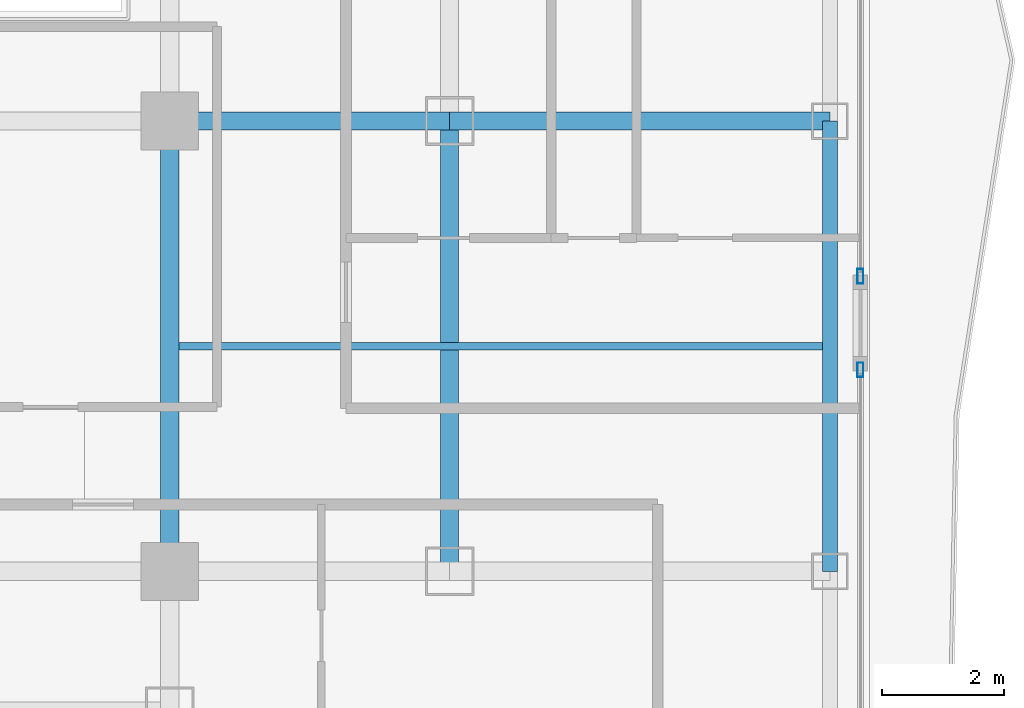
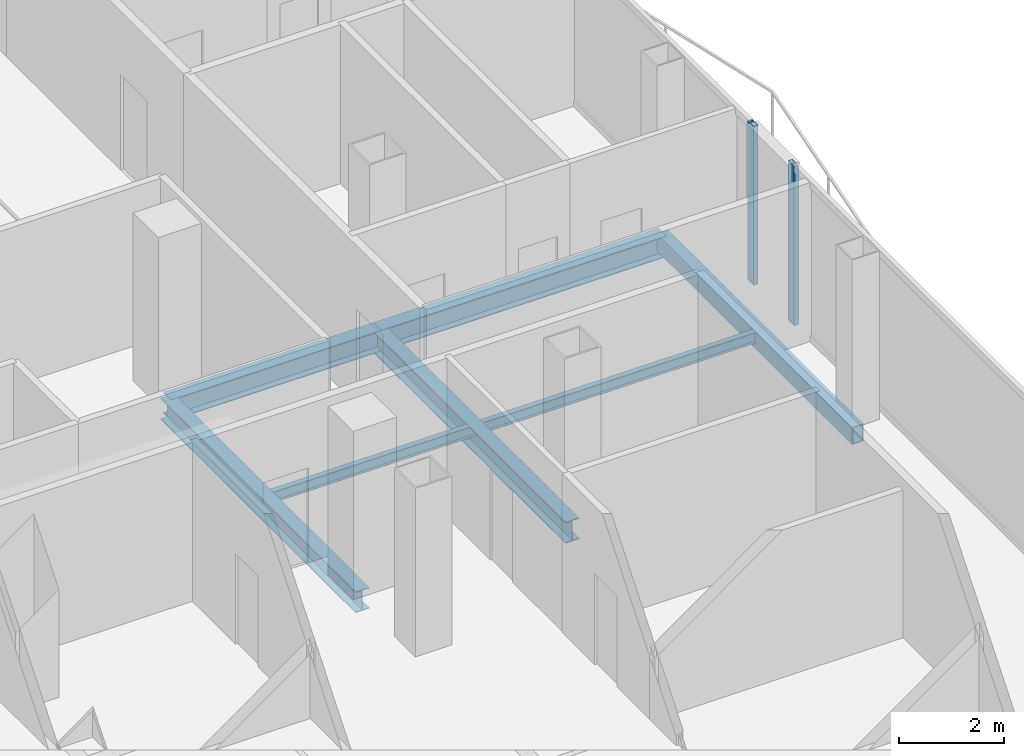
# One storey, part 11 of 27: 6 beams, 2 members, 2 elements without a shape of their own.
"""IFC4 building model written with IfcOpenShell, lengths in metres."""

import ifcopenshell
import ifcopenshell.guid

model = None  # the IFC model being written
_history = None  # IfcOwnerHistory: only IFC2X3 demands one
_inside = {}  # id of a spatial element -> (the spatial element, [elements in it])
_under = {}  # id of a project, library or spatial element -> (it, [spatial elements below it])
_declared = {}  # id of a project -> (the project, [libraries it declares])
_typed = {}  # id of a type object -> (the type object, [elements of that type])
_made_of = {}  # id of a material, layer set ... -> (it, [elements and type objects made of it])


def new_model(schema):
    """Start an empty IFC model of exactly this schema.

    Asked for "IFC4X3", IfcOpenShell would pick the latest addendum, in which some entities
    have other attributes; the version numbers below select the first issue.
    IFC2X3 requires an IfcOwnerHistory on every rooted entity: one is made here for all.
    """
    global model, _history
    if schema == "IFC4X3":
        model = ifcopenshell.file(schema_version=(4, 3, 0, 0))
    else:
        model = ifcopenshell.file(schema=schema)
    _inside.clear()
    _under.clear()
    _declared.clear()
    _typed.clear()
    _made_of.clear()
    _history = None
    if model.schema == "IFC2X3":
        org = make("IfcOrganization", Name="unknown")
        user = make(
            "IfcPersonAndOrganization",
            ThePerson=make("IfcPerson", FamilyName="unknown"),
            TheOrganization=org,
        )
        app = make(
            "IfcApplication",
            ApplicationDeveloper=org,
            Version="unknown",
            ApplicationFullName="unknown",
            ApplicationIdentifier="unknown",
        )
        _history = make(
            "IfcOwnerHistory",
            OwningUser=user,
            OwningApplication=app,
            ChangeAction="ADDED",
            CreationDate=0,
        )
    return model


def make(cls, **values):
    """One entity of the class cls with the attributes given. An attribute that is None is left unset."""
    return model.create_entity(
        cls, **{name: value for name, value in values.items() if value is not None}
    )


def rooted(cls, **values):
    """An entity with a GlobalId (a new one), such as an element, a storey or a relation."""
    return make(cls, GlobalId=ifcopenshell.guid.new(), OwnerHistory=_history, **values)


def si_unit(unit_type, name, prefix=None):
    """IfcSIUnit, for example si_unit("LENGTHUNIT", "METRE", prefix="MILLI")."""
    return make("IfcSIUnit", UnitType=unit_type, Prefix=prefix, Name=name)


def assignment(units):
    """IfcUnitAssignment: the units of a project."""
    return None if units is None else make("IfcUnitAssignment", Units=units)


def point(xyz):
    """IfcCartesianPoint."""
    return None if xyz is None else make("IfcCartesianPoint", Coordinates=xyz)


def direction(xyz):
    """IfcDirection."""
    return None if xyz is None else make("IfcDirection", DirectionRatios=xyz)


def frame(location, z_axis=None, x_axis=None):
    """IfcAxis2Placement3D, a coordinate frame: its origin and axes. An axis left out is left unset."""
    return make(
        "IfcAxis2Placement3D",
        Location=point(location),
        Axis=direction(z_axis),
        RefDirection=direction(x_axis),
    )


def frame_2d(location, x_axis=None):
    """IfcAxis2Placement2D, a coordinate frame in the plane: its origin and x axis."""
    return make(
        "IfcAxis2Placement2D", Location=point(location), RefDirection=direction(x_axis)
    )


def origin():
    """The frame at (0, 0, 0) with its axes left unset."""
    return frame((0.0, 0.0, 0.0))


def origin_2d():
    """The frame at (0, 0) in the plane with its x axis left unset."""
    return frame_2d((0.0, 0.0))


def place(relative_to, where):
    """IfcLocalPlacement: puts the frame where relative to a parent placement (None: the world)."""
    return make(
        "IfcLocalPlacement", PlacementRelTo=relative_to, RelativePlacement=where
    )


def context(
    kind, dimensions, precision=None, world=None, true_north=None, identifier=None
):
    """IfcGeometricRepresentationContext, for example the 3D "Model" context."""
    return make(
        "IfcGeometricRepresentationContext",
        ContextIdentifier=identifier,
        ContextType=kind,
        CoordinateSpaceDimension=dimensions,
        Precision=precision,
        WorldCoordinateSystem=world,
        TrueNorth=true_north,
    )


def subcontext(parent, identifier, kind, view, scale=None):
    """IfcGeometricRepresentationSubContext, for example "Body" below "Model"."""
    return make(
        "IfcGeometricRepresentationSubContext",
        ContextIdentifier=identifier,
        ContextType=kind,
        ParentContext=parent,
        TargetScale=scale,
        TargetView=view,
    )


def project(units=None, contexts=None):
    """IfcProject with its units and contexts."""
    return rooted(
        "IfcProject",
        Name="project",
        RepresentationContexts=contexts,
        UnitsInContext=assignment(units),
    )


def spatial(cls, under=None, at=None, **own):
    """A site, building, storey or space (cls), placed at a placement, below another one or the project."""
    s = rooted(cls, ObjectPlacement=at, **own)
    if under is not None:
        _under.setdefault(under.id(), (under, []))[1].append(s)
    return s


def profile(cls, at=None, kind="AREA", **sizes):
    """A parametric profile (cls). Its sizes go by their IFC names, for example OverallWidth=200.0."""
    return make(cls, ProfileType=kind, Position=at, **sizes)


def hollow_rectangle(**sizes):
    """IfcRectangleHollowProfileDef."""
    return profile("IfcRectangleHollowProfileDef", **sizes)


def i_section(**sizes):
    """IfcIShapeProfileDef."""
    return profile("IfcIShapeProfileDef", **sizes)


def extrude(swept, where, along, depth):
    """IfcExtrudedAreaSolid: the profile swept, set in the frame where, extruded along a direction by depth."""
    return make(
        "IfcExtrudedAreaSolid",
        SweptArea=swept,
        Position=where,
        ExtrudedDirection=direction(along),
        Depth=depth,
    )


def shape(context_of_items, identifier, shape_type, items):
    """IfcShapeRepresentation: the items that make up one representation, for example the "Body"."""
    return make(
        "IfcShapeRepresentation",
        ContextOfItems=context_of_items,
        RepresentationIdentifier=identifier,
        RepresentationType=shape_type,
        Items=items,
    )


def material(Name=None, Category=None):
    """IfcMaterial."""
    return make("IfcMaterial", Name=Name, Category=Category)


def layer(
    of_material, thickness, ventilated=None, Name=None, Category=None, Priority=None
):
    """IfcMaterialLayer: one layer of a wall or slab, of a material (None: an air gap)."""
    return make(
        "IfcMaterialLayer",
        Material=of_material,
        LayerThickness=thickness,
        IsVentilated=ventilated,
        Name=Name,
        Category=Category,
        Priority=Priority,
    )


def layer_set(layers, Name=None):
    """IfcMaterialLayerSet."""
    return make("IfcMaterialLayerSet", MaterialLayers=layers, LayerSetName=Name)


def material_profile(
    of_material, cross_section, Name=None, Category=None, Priority=None
):
    """IfcMaterialProfile: a cross section and its material."""
    return make(
        "IfcMaterialProfile",
        Name=Name,
        Material=of_material,
        Profile=cross_section,
        Priority=Priority,
        Category=Category,
    )


def profile_set(profiles, Name=None, composite=None):
    """IfcMaterialProfileSet."""
    return make(
        "IfcMaterialProfileSet",
        Name=Name,
        MaterialProfiles=profiles,
        CompositeProfile=composite,
    )


def made_of(thing, what):
    """Note that an element or type object is made of a material, layer set ...; save() writes the relation."""
    if what is not None:
        _made_of.setdefault(what.id(), (what, []))[1].append(thing)
    return thing


def type_object(cls, material=None, **own):
    """A type object (cls), such as IfcWallType, which elements share."""
    return made_of(rooted(cls, **own), material)


def element(
    cls,
    number,
    at=None,
    inside=None,
    cuts=None,
    type_object=None,
    material=None,
    context=None,
    identifier="Body",
    shape_type=None,
    held_by="IfcProductDefinitionShape",
    body=None,
    shapes=None,
    **own,
):
    """One element of the class cls, such as IfcWall. Its Tag is "e" and its number.

    at: its placement. inside: the storey or other place that contains it. cuts: it is an
    opening in that element (IfcRelVoidsElement). A single representation is given by context,
    identifier, shape_type and body (its items); several are given by shapes. held_by: the class
    of the entity that holds the representations. save() writes the other relations.
    """
    e = rooted(cls, Tag="e%d" % number, ObjectPlacement=at, **own)
    if body is not None:
        shapes = [shape(context, identifier, shape_type, body)]
    if shapes is not None:
        e.Representation = make(held_by, Representations=shapes)
    if inside is not None:
        _inside.setdefault(inside.id(), (inside, []))[1].append(e)
    if cuts is not None:
        rooted(
            "IfcRelVoidsElement", RelatingBuildingElement=cuts, RelatedOpeningElement=e
        )
    if type_object is not None:
        _typed.setdefault(type_object.id(), (type_object, []))[1].append(e)
    return made_of(e, material)


def aggregate(whole, parts):
    """IfcRelAggregates: a whole, such as a stair, and the parts it consists of."""
    return rooted("IfcRelAggregates", RelatingObject=whole, RelatedObjects=parts)


def save(model, path):
    """Write the relations noted so far, then the file.

    IfcRelAggregates (storeys below a building ...), IfcRelContainedInSpatialStructure (elements
    in a storey), IfcRelDefinesByType, IfcRelAssociatesMaterial and IfcRelDeclares: one each for
    every whole, place, type object, material and project.
    """
    for whole, parts in _under.values():
        aggregate(whole, parts)
    for where, things in _inside.values():
        rooted(
            "IfcRelContainedInSpatialStructure",
            RelatedElements=things,
            RelatingStructure=where,
        )
    for kind, things in _typed.values():
        rooted("IfcRelDefinesByType", RelatedObjects=things, RelatingType=kind)
    for what, things in _made_of.values():
        rooted("IfcRelAssociatesMaterial", RelatedObjects=things, RelatingMaterial=what)
    for by, libraries in _declared.values():
        rooted("IfcRelDeclares", RelatingContext=by, RelatedDefinitions=libraries)
    model.write(path)


model = new_model("IFC4")

# Units and contexts
model_context = context("Model", 3, precision=1e-05, world=origin(), true_north=direction((0.0, 1.0)))
body_context = subcontext(model_context, "Body", "Model", "MODEL_VIEW")
ifc_project = project(units=[si_unit("LENGTHUNIT", "METRE"), si_unit("AREAUNIT", "SQUARE_METRE"), si_unit("VOLUMEUNIT", "CUBIC_METRE"), si_unit("PLANEANGLEUNIT", "RADIAN"), si_unit("MASSUNIT", "GRAM", prefix="KILO")], contexts=[model_context])

# Site, building, storey
site_placement = place(None, origin())
site = spatial("IfcSite", under=ifc_project, at=site_placement, CompositionType="ELEMENT")
building_placement = place(site_placement, origin())
building = spatial("IfcBuilding", under=site, at=building_placement, Name="Khorvyn Point Tower", CompositionType="ELEMENT")
storey_placement = place(building_placement, frame((0.0, 0.0, 246.89990234375)))
storey = spatial("IfcBuildingStorey", under=building, at=storey_placement, Name="L60", CompositionType="ELEMENT", Elevation=246.89990234375)

# Curtain wall, member
ifc_material_1 = material(Name="Anodised aluminium 6063-T6 and laminated Low-E glass", Category="aluminium")
ifc_layer = layer(ifc_material_1, 0.18994140625)
ifc_layer_set = layer_set([ifc_layer], Name="Stick-Built Acoustic Curtain Wall CW-SYS-03")
curtain_wall_type = type_object("IfcCurtainWallType", Name="Stick-Built Acoustic Curtain Wall CW-SYS-03", PredefinedType="NOTDEFINED", material=ifc_layer_set)
curtain_wall_1_placement = place(storey_placement, origin())
curtain_wall_1 = element("IfcCurtainWall", 1, at=curtain_wall_1_placement, inside=storey, type_object=curtain_wall_type, Name="Curtain Wall", PredefinedType="NOTDEFINED")
ifc_material_2 = material(Name="Anodised aluminium 6063-T6", Category="aluminium")
ifc_material_profile_1 = material_profile(ifc_material_2, hollow_rectangle(XDim=0.10009765625, YDim=0.239990234375, WallThickness=0.0048828125, at=origin_2d()))
ifc_profile_set_1 = profile_set([ifc_material_profile_1], Name="Anodised aluminium 6063-T6 ALU-MUL-100x240")
member_type = type_object("IfcMemberType", Name="Anodised Aluminium 6063-T6 Mullion ALU-MUL-100x240", PredefinedType="MULLION", material=ifc_profile_set_1)
member_1_placement = place(storey_placement, frame((26.14990234375, -9.949951171875, 0.0), z_axis=(0.0, 0.0, 1.0), x_axis=(1.0, 0.0, 0.0)))
member_1 = element("IfcMember", 2, at=member_1_placement, type_object=member_type, Name="Transom", PredefinedType="MULLION", context=body_context, shape_type="SweptSolid", body=[
    extrude(hollow_rectangle(XDim=0.10009765625, YDim=0.239990234375, WallThickness=0.0048828125, at=origin_2d()), origin(), (0.0, 0.0, 1.0), 3.68017578125),
])
aggregate(curtain_wall_1, [member_1])

curtain_wall_2_placement = place(storey_placement, origin())
curtain_wall_2 = element("IfcCurtainWall", 3, at=curtain_wall_2_placement, inside=storey, type_object=curtain_wall_type, Name="Curtain Wall", PredefinedType="NOTDEFINED")
member_2_placement = place(storey_placement, frame((26.14990234375, -11.489990234375, 0.0), z_axis=(0.0, 0.0, 1.0), x_axis=(1.0, 0.0, 0.0)))
member_2 = element("IfcMember", 4, at=member_2_placement, type_object=member_type, Name="Transom", PredefinedType="MULLION", context=body_context, shape_type="SweptSolid", body=[
    extrude(hollow_rectangle(XDim=0.10009765625, YDim=0.239990234375, WallThickness=0.0048828125, at=origin_2d()), origin(), (0.0, 0.0, 1.0), 3.68017578125),
])
aggregate(curtain_wall_2, [member_2])

# Beams
ifc_material_3 = material(Name="Steel S355", Category="steel")
ifc_material_profile_2 = material_profile(ifc_material_3, i_section(OverallWidth=0.125, OverallDepth=0.25, WebThickness=0.006103515625, FlangeThickness=0.009033203125, at=origin_2d()))
ifc_profile_set_2 = profile_set([ifc_material_profile_2], Name="Steel S355 H250x125x6x9")
beam_type_1 = type_object("IfcBeamType", Name="Steel S355 Joist H250x125x6x9", PredefinedType="JOIST", material=ifc_profile_set_2)
beam_1_placement = place(storey_placement, frame((14.949951171875, -11.10009765625, -0.344970703125), z_axis=(1.0, 0.0, 0.0), x_axis=(0.0, 1.0, 0.0)))
element("IfcBeam", 5, at=beam_1_placement, inside=storey, type_object=beam_type_1, Name="Beam", PredefinedType="JOIST", context=body_context, shape_type="SweptSolid", body=[
    extrude(i_section(OverallWidth=0.125, OverallDepth=0.25, WebThickness=0.006103515625, FlangeThickness=0.009033203125, at=origin_2d()), origin(), (0.0, 0.0, 1.0), 10.574951171875),
])
ifc_material_profile_3 = material_profile(ifc_material_3, i_section(OverallWidth=0.300048828125, OverallDepth=0.488037109375, WebThickness=0.010986328125, FlangeThickness=0.01806640625, at=origin_2d()))
ifc_profile_set_3 = profile_set([ifc_material_profile_3], Name="Steel S355 H488x300x11x18")
beam_type_2 = type_object("IfcBeamType", Name="Steel S355 Spandrel H488x300x11x18", PredefinedType="SPANDREL", material=ifc_profile_set_3)
beam_2_placement = place(storey_placement, frame((14.800048828125, -7.39990234375, -0.4638671875), z_axis=(1.0, 0.0, 0.0), x_axis=(0.0, 1.0, 0.0)))
element("IfcBeam", 6, at=beam_2_placement, inside=storey, type_object=beam_type_2, Name="Beam", PredefinedType="SPANDREL", context=body_context, shape_type="SweptSolid", body=[
    extrude(i_section(OverallWidth=0.300048828125, OverallDepth=0.488037109375, WebThickness=0.010986328125, FlangeThickness=0.01806640625, at=origin_2d()), origin(), (0.0, 0.0, 1.0), 4.599853515625),
])
beam_3_placement = place(storey_placement, frame((19.39990234375, -7.39990234375, -0.4638671875), z_axis=(1.0, 0.0, 0.0), x_axis=(0.0, 1.0, 0.0)))
element("IfcBeam", 7, at=beam_3_placement, inside=storey, type_object=beam_type_2, Name="Beam", PredefinedType="SPANDREL", context=body_context, shape_type="SweptSolid", body=[
    extrude(i_section(OverallWidth=0.300048828125, OverallDepth=0.488037109375, WebThickness=0.010986328125, FlangeThickness=0.01806640625, at=origin_2d()), origin(), (0.0, 0.0, 1.0), 6.25),
])
for number, where, z_axis, x_axis, name in (
    (8, (14.800048828125, -14.800048828125, -0.4638671875), (0.0, 1.0, 0.0), (-1.0, 0.0, 0.0), "Beam"),
    (9, (19.39990234375, -14.800048828125, -0.4638671875), (0.0, 1.0, 0.0), (-1.0, 0.0, 0.0), "Beam"),
):
    element("IfcBeam", number, at=place(storey_placement, frame(where, z_axis=z_axis, x_axis=x_axis)), inside=storey, type_object=beam_type_2, Name=name, PredefinedType="SPANDREL", context=body_context, shape_type="SweptSolid", body=[
        extrude(i_section(OverallWidth=0.300048828125, OverallDepth=0.488037109375, WebThickness=0.010986328125, FlangeThickness=0.01806640625, at=origin_2d()), origin(), (0.0, 0.0, 1.0), 7.400146484375),
    ])
ifc_material_profile_4 = material_profile(ifc_material_3, hollow_rectangle(XDim=0.25, YDim=0.39990234375, WallThickness=0.01611328125, at=origin_2d()))
ifc_profile_set_4 = profile_set([ifc_material_profile_4], Name="Steel S355 RHS400x250x16")
beam_type_3 = type_object("IfcBeamType", Name="Steel S355 Spandrel RHS400x250x16", PredefinedType="SPANDREL", material=ifc_profile_set_4)
beam_4_placement = place(storey_placement, frame((25.64990234375, -14.800048828125, -0.419921875), z_axis=(0.0, 1.0, 0.0), x_axis=(-1.0, 0.0, 0.0)))
element("IfcBeam", 10, at=beam_4_placement, inside=storey, type_object=beam_type_3, Name="Beam", PredefinedType="SPANDREL", context=body_context, shape_type="SweptSolid", body=[
    extrude(hollow_rectangle(XDim=0.25, YDim=0.39990234375, WallThickness=0.01611328125, at=origin_2d()), origin(), (0.0, 0.0, 1.0), 7.400146484375),
])

save(model, "model.ifc")
